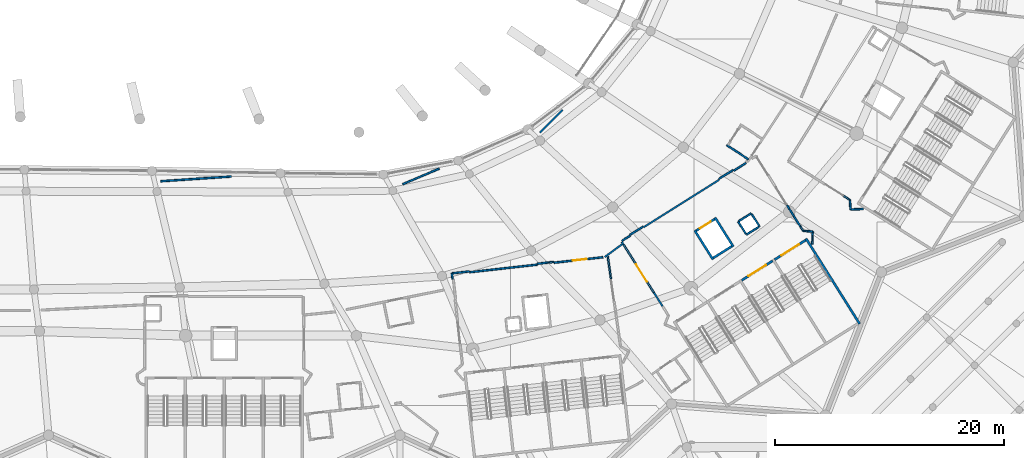
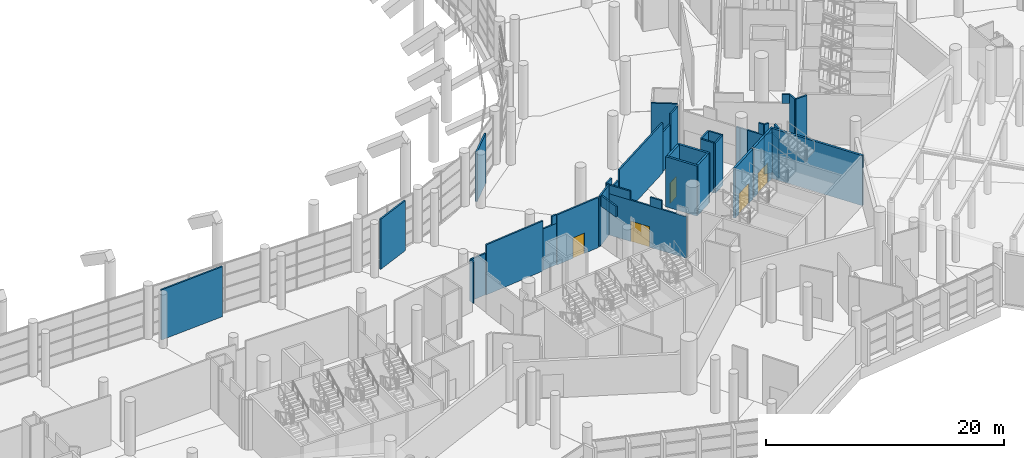
# One storey, part 173 of 271: 43 walls, 5 doors, 5 openings.
"""IFC4 building model written with IfcOpenShell, lengths in metres."""

import ifcopenshell
import ifcopenshell.guid

model = None  # the IFC model being written
_history = None  # IfcOwnerHistory: only IFC2X3 demands one
_inside = {}  # id of a spatial element -> (the spatial element, [elements in it])
_under = {}  # id of a project, library or spatial element -> (it, [spatial elements below it])
_declared = {}  # id of a project -> (the project, [libraries it declares])
_typed = {}  # id of a type object -> (the type object, [elements of that type])
_made_of = {}  # id of a material, layer set ... -> (it, [elements and type objects made of it])


def new_model(schema):
    """Start an empty IFC model of exactly this schema.

    Asked for "IFC4X3", IfcOpenShell would pick the latest addendum, in which some entities
    have other attributes; the version numbers below select the first issue.
    IFC2X3 requires an IfcOwnerHistory on every rooted entity: one is made here for all.
    """
    global model, _history
    if schema == "IFC4X3":
        model = ifcopenshell.file(schema_version=(4, 3, 0, 0))
    else:
        model = ifcopenshell.file(schema=schema)
    _inside.clear()
    _under.clear()
    _declared.clear()
    _typed.clear()
    _made_of.clear()
    _history = None
    if model.schema == "IFC2X3":
        org = make("IfcOrganization", Name="unknown")
        user = make(
            "IfcPersonAndOrganization",
            ThePerson=make("IfcPerson", FamilyName="unknown"),
            TheOrganization=org,
        )
        app = make(
            "IfcApplication",
            ApplicationDeveloper=org,
            Version="unknown",
            ApplicationFullName="unknown",
            ApplicationIdentifier="unknown",
        )
        _history = make(
            "IfcOwnerHistory",
            OwningUser=user,
            OwningApplication=app,
            ChangeAction="ADDED",
            CreationDate=0,
        )
    return model


def make(cls, **values):
    """One entity of the class cls with the attributes given. An attribute that is None is left unset."""
    return model.create_entity(
        cls, **{name: value for name, value in values.items() if value is not None}
    )


def rooted(cls, **values):
    """An entity with a GlobalId (a new one), such as an element, a storey or a relation."""
    return make(cls, GlobalId=ifcopenshell.guid.new(), OwnerHistory=_history, **values)


def si_unit(unit_type, name, prefix=None):
    """IfcSIUnit, for example si_unit("LENGTHUNIT", "METRE", prefix="MILLI")."""
    return make("IfcSIUnit", UnitType=unit_type, Prefix=prefix, Name=name)


def assignment(units):
    """IfcUnitAssignment: the units of a project."""
    return None if units is None else make("IfcUnitAssignment", Units=units)


def point(xyz):
    """IfcCartesianPoint."""
    return None if xyz is None else make("IfcCartesianPoint", Coordinates=xyz)


def direction(xyz):
    """IfcDirection."""
    return None if xyz is None else make("IfcDirection", DirectionRatios=xyz)


def frame(location, z_axis=None, x_axis=None):
    """IfcAxis2Placement3D, a coordinate frame: its origin and axes. An axis left out is left unset."""
    return make(
        "IfcAxis2Placement3D",
        Location=point(location),
        Axis=direction(z_axis),
        RefDirection=direction(x_axis),
    )


def frame_2d(location, x_axis=None):
    """IfcAxis2Placement2D, a coordinate frame in the plane: its origin and x axis."""
    return make(
        "IfcAxis2Placement2D", Location=point(location), RefDirection=direction(x_axis)
    )


def origin():
    """The frame at (0, 0, 0) with its axes left unset."""
    return frame((0.0, 0.0, 0.0))


def place(relative_to, where):
    """IfcLocalPlacement: puts the frame where relative to a parent placement (None: the world)."""
    return make(
        "IfcLocalPlacement", PlacementRelTo=relative_to, RelativePlacement=where
    )


def context(
    kind, dimensions, precision=None, world=None, true_north=None, identifier=None
):
    """IfcGeometricRepresentationContext, for example the 3D "Model" context."""
    return make(
        "IfcGeometricRepresentationContext",
        ContextIdentifier=identifier,
        ContextType=kind,
        CoordinateSpaceDimension=dimensions,
        Precision=precision,
        WorldCoordinateSystem=world,
        TrueNorth=true_north,
    )


def subcontext(parent, identifier, kind, view, scale=None):
    """IfcGeometricRepresentationSubContext, for example "Body" below "Model"."""
    return make(
        "IfcGeometricRepresentationSubContext",
        ContextIdentifier=identifier,
        ContextType=kind,
        ParentContext=parent,
        TargetScale=scale,
        TargetView=view,
    )


def project(units=None, contexts=None):
    """IfcProject with its units and contexts."""
    return rooted(
        "IfcProject",
        Name="project",
        RepresentationContexts=contexts,
        UnitsInContext=assignment(units),
    )


def spatial(cls, under=None, at=None, **own):
    """A site, building, storey or space (cls), placed at a placement, below another one or the project."""
    s = rooted(cls, ObjectPlacement=at, **own)
    if under is not None:
        _under.setdefault(under.id(), (under, []))[1].append(s)
    return s


def profile(cls, at=None, kind="AREA", **sizes):
    """A parametric profile (cls). Its sizes go by their IFC names, for example OverallWidth=200.0."""
    return make(cls, ProfileType=kind, Position=at, **sizes)


def rectangle(**sizes):
    """IfcRectangleProfileDef."""
    return profile("IfcRectangleProfileDef", **sizes)


def extrude(swept, where, along, depth):
    """IfcExtrudedAreaSolid: the profile swept, set in the frame where, extruded along a direction by depth."""
    return make(
        "IfcExtrudedAreaSolid",
        SweptArea=swept,
        Position=where,
        ExtrudedDirection=direction(along),
        Depth=depth,
    )


def shape(context_of_items, identifier, shape_type, items):
    """IfcShapeRepresentation: the items that make up one representation, for example the "Body"."""
    return make(
        "IfcShapeRepresentation",
        ContextOfItems=context_of_items,
        RepresentationIdentifier=identifier,
        RepresentationType=shape_type,
        Items=items,
    )


def material(Name=None, Category=None):
    """IfcMaterial."""
    return make("IfcMaterial", Name=Name, Category=Category)


def layer(
    of_material, thickness, ventilated=None, Name=None, Category=None, Priority=None
):
    """IfcMaterialLayer: one layer of a wall or slab, of a material (None: an air gap)."""
    return make(
        "IfcMaterialLayer",
        Material=of_material,
        LayerThickness=thickness,
        IsVentilated=ventilated,
        Name=Name,
        Category=Category,
        Priority=Priority,
    )


def layer_set(layers, Name=None):
    """IfcMaterialLayerSet."""
    return make("IfcMaterialLayerSet", MaterialLayers=layers, LayerSetName=Name)


def made_of(thing, what):
    """Note that an element or type object is made of a material, layer set ...; save() writes the relation."""
    if what is not None:
        _made_of.setdefault(what.id(), (what, []))[1].append(thing)
    return thing


def type_object(cls, material=None, **own):
    """A type object (cls), such as IfcWallType, which elements share."""
    return made_of(rooted(cls, **own), material)


def element(
    cls,
    number,
    at=None,
    inside=None,
    cuts=None,
    type_object=None,
    material=None,
    context=None,
    identifier="Body",
    shape_type=None,
    held_by="IfcProductDefinitionShape",
    body=None,
    shapes=None,
    **own,
):
    """One element of the class cls, such as IfcWall. Its Tag is "e" and its number.

    at: its placement. inside: the storey or other place that contains it. cuts: it is an
    opening in that element (IfcRelVoidsElement). A single representation is given by context,
    identifier, shape_type and body (its items); several are given by shapes. held_by: the class
    of the entity that holds the representations. save() writes the other relations.
    """
    e = rooted(cls, Tag="e%d" % number, ObjectPlacement=at, **own)
    if body is not None:
        shapes = [shape(context, identifier, shape_type, body)]
    if shapes is not None:
        e.Representation = make(held_by, Representations=shapes)
    if inside is not None:
        _inside.setdefault(inside.id(), (inside, []))[1].append(e)
    if cuts is not None:
        rooted(
            "IfcRelVoidsElement", RelatingBuildingElement=cuts, RelatedOpeningElement=e
        )
    if type_object is not None:
        _typed.setdefault(type_object.id(), (type_object, []))[1].append(e)
    return made_of(e, material)


def fill(opening, filler):
    """IfcRelFillsElement: the door or window that sits in an opening."""
    return rooted(
        "IfcRelFillsElement",
        RelatingOpeningElement=opening,
        RelatedBuildingElement=filler,
    )


def aggregate(whole, parts):
    """IfcRelAggregates: a whole, such as a stair, and the parts it consists of."""
    return rooted("IfcRelAggregates", RelatingObject=whole, RelatedObjects=parts)


def save(model, path):
    """Write the relations noted so far, then the file.

    IfcRelAggregates (storeys below a building ...), IfcRelContainedInSpatialStructure (elements
    in a storey), IfcRelDefinesByType, IfcRelAssociatesMaterial and IfcRelDeclares: one each for
    every whole, place, type object, material and project.
    """
    for whole, parts in _under.values():
        aggregate(whole, parts)
    for where, things in _inside.values():
        rooted(
            "IfcRelContainedInSpatialStructure",
            RelatedElements=things,
            RelatingStructure=where,
        )
    for kind, things in _typed.values():
        rooted("IfcRelDefinesByType", RelatedObjects=things, RelatingType=kind)
    for what, things in _made_of.values():
        rooted("IfcRelAssociatesMaterial", RelatedObjects=things, RelatingMaterial=what)
    for by, libraries in _declared.values():
        rooted("IfcRelDeclares", RelatingContext=by, RelatedDefinitions=libraries)
    model.write(path)


model = new_model("IFC4")

# Units and contexts
model_context = context("Model", 3, precision=1e-05, world=origin(), true_north=direction((0.0, 1.0)))
body_context = subcontext(model_context, "Body", "Model", "MODEL_VIEW")
ifc_project = project(units=[si_unit("LENGTHUNIT", "METRE"), si_unit("AREAUNIT", "SQUARE_METRE"), si_unit("VOLUMEUNIT", "CUBIC_METRE"), si_unit("PLANEANGLEUNIT", "RADIAN"), si_unit("MASSUNIT", "GRAM", prefix="KILO")], contexts=[model_context])

# Site, building, storey
site_placement = place(None, origin())
site = spatial("IfcSite", under=ifc_project, at=site_placement, CompositionType="ELEMENT")
building_placement = place(site_placement, origin())
building = spatial("IfcBuilding", under=site, at=building_placement, Name="Meseta Stadium", CompositionType="ELEMENT")
storey_placement = place(building_placement, frame((0.0, 0.0, 6.5)))
storey = spatial("IfcBuildingStorey", under=building, at=storey_placement, Name="L01", CompositionType="ELEMENT", Elevation=6.5)

# Wall
ifc_material_1 = material(Name="Concrete C40/50", Category="concrete")
ifc_layer_1 = layer(ifc_material_1, 0.199951171875)
ifc_layer_set_1 = layer_set([ifc_layer_1], Name="Core shaft wall 200")
wall_type_1 = type_object("IfcWallType", Name="Core shaft wall 200", PredefinedType="SHEAR", material=ifc_layer_set_1)
wall_1_placement = place(storey_placement, frame((78.4658203125, -88.8876953125, 0.0), z_axis=(0.0, 0.0, 1.0), x_axis=(-0.532032334759, 0.846724036963, 0.0)))
element("IfcWall", 1, at=wall_1_placement, inside=storey, type_object=wall_type_1, Name="Core 27 L01 stair wall B-side", PredefinedType="SHEAR", context=body_context, shape_type="SweptSolid", body=[
    extrude(rectangle(XDim=8.800048828125, YDim=0.199951171875, at=frame_2d((4.39990234375, 0.0))), origin(), (0.0, 0.0, 1.0), 5.14990234375),
])

# Wall, opening, door
wall_2_placement = place(storey_placement, frame((68.1640625, -85.0859375, 0.0), z_axis=(0.0, 0.0, 1.0), x_axis=(0.84670136309, 0.53206841829, 0.0)))
wall_2 = element("IfcWall", 2, at=wall_2_placement, inside=storey, type_object=wall_type_1, Name="Core 27 L01 stair B1 inner end wall", PredefinedType="SHEAR", context=body_context, shape_type="SweptSolid", body=[
    extrude(rectangle(XDim=3.199951171875, YDim=0.199951171875, at=frame_2d((1.60009765625, 0.0))), origin(), (0.0, 0.0, 1.0), 5.14990234375),
])
opening_1_placement = place(wall_2_placement, frame((0.699951171875, 0.0, 0.0)))
opening_1 = element("IfcOpeningElement", 3, at=opening_1_placement, cuts=wall_2, Name="Opening D363", PredefinedType="OPENING", context=body_context, shape_type="SweptSolid", body=[
    extrude(rectangle(XDim=1.800048828125, YDim=2.10009765625, at=frame_2d((0.89990234375, 1.050048828125))), frame((0.0, 0.10986328125, 0.0), z_axis=(0.0, -1.0, 0.0), x_axis=(1.0, 0.0, 0.0)), (0.0, 0.0, 1.0), 0.219970703125),
])
ifc_material_2 = material(Name="Steel", Category="steel")
door_type_1 = type_object("IfcDoorType", Name="Stair door 1800x2100", OperationType="DOUBLE_DOOR_SINGLE_SWING", PredefinedType="DOOR", material=ifc_material_2)
door_1_placement = place(opening_1_placement, origin())
door_1 = element("IfcDoor", 4, at=door_1_placement, inside=storey, type_object=door_type_1, Name="Stair B1 door 27 L01", OperationType="DOUBLE_DOOR_SINGLE_SWING", OverallHeight=2.10009765625, OverallWidth=1.800048828125, PredefinedType="DOOR", context=body_context, shape_type="SweptSolid", body=[
    extrude(rectangle(XDim=1.800048828125, YDim=2.10009765625, at=frame_2d((0.89990234375, 1.050048828125))), frame((0.0, 0.02490234375, 0.0), z_axis=(0.0, -1.0, 0.0), x_axis=(1.0, 0.0, 0.0)), (0.0, 0.0, 1.0), 0.050048828125),
])
fill(opening_1, door_1)

wall_3_placement = place(storey_placement, frame((71.04296875, -83.27685546875, 0.0), z_axis=(0.0, 0.0, 1.0), x_axis=(0.846735733015, 0.532013720158, 0.0)))
wall_3 = element("IfcWall", 5, at=wall_3_placement, inside=storey, type_object=wall_type_1, Name="Core 27 L01 stair B2 inner end wall", PredefinedType="SHEAR", context=body_context, shape_type="SweptSolid", body=[
    extrude(rectangle(XDim=3.199951171875, YDim=0.199951171875, at=frame_2d((1.60009765625, 0.0))), origin(), (0.0, 0.0, 1.0), 5.14990234375),
])
opening_2_placement = place(wall_3_placement, frame((0.699951171875, 0.0, 0.0)))
opening_2 = element("IfcOpeningElement", 6, at=opening_2_placement, cuts=wall_3, Name="Opening D364", PredefinedType="OPENING", context=body_context, shape_type="SweptSolid", body=[
    extrude(rectangle(XDim=1.800048828125, YDim=2.10009765625, at=frame_2d((0.89990234375, 1.050048828125))), frame((0.0, 0.10986328125, 0.0), z_axis=(0.0, -1.0, 0.0), x_axis=(1.0, 0.0, 0.0)), (0.0, 0.0, 1.0), 0.219970703125),
])
door_2_placement = place(opening_2_placement, origin())
door_2 = element("IfcDoor", 7, at=door_2_placement, inside=storey, type_object=door_type_1, Name="Stair B2 door 27 L01", OperationType="DOUBLE_DOOR_SINGLE_SWING", OverallHeight=2.10009765625, OverallWidth=1.800048828125, PredefinedType="DOOR", context=body_context, shape_type="SweptSolid", body=[
    extrude(rectangle(XDim=1.800048828125, YDim=2.10009765625, at=frame_2d((0.89990234375, 1.050048828125))), frame((0.0, 0.02490234375, 0.0), z_axis=(0.0, -1.0, 0.0), x_axis=(1.0, 0.0, 0.0)), (0.0, 0.0, 1.0), 0.050048828125),
])
fill(opening_2, door_2)

# Walls
wall_4_placement = place(storey_placement, frame((65.658935546875, -83.260498046875, 0.0), z_axis=(0.0, 0.0, 1.0), x_axis=(-0.532074873955, 0.846697306306, 0.0)))
element("IfcWall", 8, at=wall_4_placement, inside=storey, type_object=wall_type_1, Name="Core 27 L01 lift shaft wall left", PredefinedType="SHEAR", context=body_context, shape_type="SweptSolid", body=[
    extrude(rectangle(XDim=3.0, YDim=0.199951171875, at=frame_2d((1.5, 0.0))), origin(), (0.0, 0.0, 1.0), 5.14990234375),
])
wall_5_placement = place(storey_placement, frame((67.43701171875, -82.143310546875, 0.0), z_axis=(0.0, 0.0, 1.0), x_axis=(-0.532038212918, 0.84672034344, 0.0)))
element("IfcWall", 9, at=wall_5_placement, inside=storey, type_object=wall_type_1, Name="Core 27 L01 lift shaft wall right", PredefinedType="SHEAR", context=body_context, shape_type="SweptSolid", body=[
    extrude(rectangle(XDim=3.000244140625, YDim=0.199951171875, at=frame_2d((1.5, 0.0))), origin(), (0.0, 0.0, 1.0), 5.14990234375),
])
wall_6_placement = place(storey_placement, frame((65.6904296875, -83.122802734375, 0.0), z_axis=(0.0, 0.0, 1.0), x_axis=(0.846674592738, 0.532111016623, 0.0)))
element("IfcWall", 10, at=wall_6_placement, inside=storey, type_object=wall_type_1, Name="Core 27 L01 lift shaft back wall", PredefinedType="SHEAR", context=body_context, shape_type="SweptSolid", body=[
    extrude(rectangle(XDim=1.89990234375, YDim=0.199951171875, at=frame_2d((0.949951171875, 0.0))), origin(), (0.0, 0.0, 1.0), 5.14990234375),
])

# Wall, opening, door
wall_7_placement = place(storey_placement, frame((64.20068359375, -80.751708984375, 0.0), z_axis=(0.0, 0.0, 1.0), x_axis=(0.846768850524, 0.531961007765, 0.0)))
wall_7 = element("IfcWall", 11, at=wall_7_placement, inside=storey, type_object=wall_type_1, Name="Core 27 L01 lift shaft front wall", PredefinedType="SHEAR", context=body_context, shape_type="SweptSolid", body=[
    extrude(rectangle(XDim=1.900146484375, YDim=0.199951171875, at=frame_2d((0.9501953125, 0.0))), origin(), (0.0, 0.0, 1.0), 5.14990234375),
])
opening_3_placement = place(wall_7_placement, frame((0.39990234375, 0.0, 0.0)))
opening_3 = element("IfcOpeningElement", 12, at=opening_3_placement, cuts=wall_7, Name="Opening LD148", PredefinedType="OPENING", context=body_context, shape_type="SweptSolid", body=[
    extrude(rectangle(XDim=1.10009765625, YDim=2.10009765625, at=frame_2d((0.550048828125, 1.050048828125))), frame((0.0, 0.10986328125, 0.0), z_axis=(0.0, -1.0, 0.0), x_axis=(1.0, 0.0, 0.0)), (0.0, 0.0, 1.0), 0.219970703125),
])
ifc_material_3 = material(Name="Steel", Category="steel")
door_type_2 = type_object("IfcDoorType", Name="Lift landing door 1100x2100", OperationType="SLIDING_TO_LEFT", PredefinedType="DOOR", material=ifc_material_3)
door_3_placement = place(opening_3_placement, origin())
door_3 = element("IfcDoor", 13, at=door_3_placement, inside=storey, type_object=door_type_2, Name="Lift landing door LD148", OperationType="SLIDING_TO_RIGHT", OverallHeight=2.10009765625, OverallWidth=1.10009765625, PredefinedType="DOOR", context=body_context, shape_type="SweptSolid", body=[
    extrude(rectangle(XDim=1.10009765625, YDim=2.10009765625, at=frame_2d((0.550048828125, 1.050048828125))), frame((0.0, 0.02490234375, 0.0), z_axis=(0.0, -1.0, 0.0), x_axis=(1.0, 0.0, 0.0)), (0.0, 0.0, 1.0), 0.050048828125),
])
fill(opening_3, door_3)

# Walls
ifc_material_4 = material(Name="Masonry blockwork", Category="masonry")
ifc_layer_2 = layer(ifc_material_4, 0.14990234375)
ifc_layer_set_2 = layer_set([ifc_layer_2], Name="Partition 150")
wall_type_2 = type_object("IfcWallType", Name="Partition 150", PredefinedType="PARTITIONING", material=ifc_layer_set_2)
wall_8_placement = place(storey_placement, frame((17.447021484375, -76.433837890625, 0.0), z_axis=(0.0, 0.0, 1.0), x_axis=(0.997781666394, 0.066571361774, 0.0)))
element("IfcWall", 14, at=wall_8_placement, inside=storey, type_object=wall_type_2, Name="Partition L01 L01-cell24-0-0", PredefinedType="PARTITIONING", context=body_context, shape_type="SweptSolid", body=[
    extrude(rectangle(XDim=6.1904296875, YDim=0.14990234375, at=frame_2d((3.09521484375, 0.0))), origin(), (0.0, 0.0, 1.0), 5.14990234375),
])
wall_9_placement = place(storey_placement, frame((38.578369140625, -76.695068359375, 0.0), z_axis=(0.0, 0.0, 1.0), x_axis=(0.919265141215, 0.393638921026, 0.0)))
element("IfcWall", 15, at=wall_9_placement, inside=storey, type_object=wall_type_2, Name="Partition L01 L01-cell25-0-0", PredefinedType="PARTITIONING", context=body_context, shape_type="SweptSolid", body=[
    extrude(rectangle(XDim=3.46826171875, YDim=0.14990234375, at=frame_2d((1.734130859375, 0.0))), origin(), (0.0, 0.0, 1.0), 5.14990234375),
])
wall_10_placement = place(storey_placement, frame((58.4365234375, -81.18505859375, 0.0), z_axis=(0.0, 0.0, 1.0), x_axis=(-0.846703986053, -0.532064244244, 0.0)))
element("IfcWall", 16, at=wall_10_placement, inside=storey, type_object=wall_type_2, Name="Partition L01 L01-cell25-0-0", PredefinedType="PARTITIONING", context=body_context, shape_type="SweptSolid", body=[
    extrude(rectangle(XDim=0.8388671875, YDim=0.14990234375, at=frame_2d((0.41943359375, 0.0))), origin(), (0.0, 0.0, 1.0), 5.14990234375),
])
wall_11_placement = place(storey_placement, frame((57.796142578125, -81.883544921875, 0.0), z_axis=(0.0, 0.0, 1.0), x_axis=(-0.805706705003, -0.592314701416, 0.0)))
element("IfcWall", 17, at=wall_11_placement, inside=storey, type_object=wall_type_2, Name="Partition L01 L01-cell25-0-0", PredefinedType="PARTITIONING", context=body_context, shape_type="SweptSolid", body=[
    extrude(rectangle(XDim=1.968994140625, YDim=0.14990234375, at=frame_2d((0.984375, 0.0))), origin(), (0.0, 0.0, 1.0), 5.14990234375),
])

# Wall, opening, door
wall_12_placement = place(storey_placement, frame((56.060302734375, -83.06640625, 0.0), z_axis=(0.0, 0.0, 1.0), x_axis=(-0.993712844466, -0.111958843972, 0.0)))
wall_12 = element("IfcWall", 18, at=wall_12_placement, inside=storey, type_object=wall_type_2, Name="Partition L01 L01-cell25-0-0", PredefinedType="PARTITIONING", context=body_context, shape_type="SweptSolid", body=[
    extrude(rectangle(XDim=4.298095703125, YDim=0.14990234375, at=frame_2d((2.14892578125, 0.0))), origin(), (0.0, 0.0, 1.0), 5.14990234375),
])
opening_4_placement = place(wall_12_placement, frame((1.449951171875, 0.0, 0.0)))
opening_4 = element("IfcOpeningElement", 19, at=opening_4_placement, cuts=wall_12, Name="Opening D675", PredefinedType="OPENING", context=body_context, shape_type="SweptSolid", body=[
    extrude(rectangle(XDim=1.199951171875, YDim=2.10009765625, at=frame_2d((0.60009765625, 1.050048828125))), frame((0.0, 0.0849609375, 0.0), z_axis=(0.0, -1.0, 0.0), x_axis=(1.0, 0.0, 0.0)), (0.0, 0.0, 1.0), 0.169921875),
])
ifc_material_5 = material(Name="Steel", Category="steel")
door_type_3 = type_object("IfcDoorType", Name="Fire door 1200x2100 EI2 60", OperationType="NOTDEFINED", PredefinedType="DOOR", material=ifc_material_5)
door_4_placement = place(opening_4_placement, origin())
door_4 = element("IfcDoor", 20, at=door_4_placement, inside=storey, type_object=door_type_3, Name="Door D675", OperationType="SINGLE_SWING_LEFT", OverallHeight=2.10009765625, OverallWidth=1.199951171875, PredefinedType="DOOR", context=body_context, shape_type="SweptSolid", body=[
    extrude(rectangle(XDim=1.199951171875, YDim=2.10009765625, at=frame_2d((0.60009765625, 1.050048828125))), frame((0.0, 0.02490234375, 0.0), z_axis=(0.0, -1.0, 0.0), x_axis=(1.0, 0.0, 0.0)), (0.0, 0.0, 1.0), 0.050048828125),
])
fill(opening_4, door_4)

# Walls
wall_13_placement = place(storey_placement, frame((50.31591796875, -83.7138671875, 0.0), z_axis=(0.0, 0.0, 1.0), x_axis=(-0.993716960296, -0.111922307073, 0.0)))
element("IfcWall", 21, at=wall_13_placement, inside=storey, type_object=wall_type_2, Name="Partition L01 L01-cell25-0-0", PredefinedType="PARTITIONING", context=body_context, shape_type="SweptSolid", body=[
    extrude(rectangle(XDim=5.93115234375, YDim=0.14990234375, at=frame_2d((2.965576171875, 0.0))), origin(), (0.0, 0.0, 1.0), 5.14990234375),
])
wall_14_placement = place(storey_placement, frame((50.55517578125, -72.17236328125, 0.0), z_axis=(0.0, 0.0, 1.0), x_axis=(0.706715261326, 0.707498084385, 0.0)))
element("IfcWall", 22, at=wall_14_placement, inside=storey, type_object=wall_type_2, Name="Partition L01 L01-cell26-0-0", PredefinedType="PARTITIONING", context=body_context, shape_type="SweptSolid", body=[
    extrude(rectangle(XDim=2.806884765625, YDim=0.14990234375, at=frame_2d((1.4033203125, 0.0))), origin(), (0.0, 0.0, 1.0), 5.14990234375),
])
wall_15_placement = place(storey_placement, frame((68.547607421875, -74.83154296875, 0.0), z_axis=(0.0, 0.0, 1.0), x_axis=(-0.846736781525, -0.53201205138, 0.0)))
element("IfcWall", 23, at=wall_15_placement, inside=storey, type_object=wall_type_2, Name="Partition L01 L01-cell26-0-0", PredefinedType="PARTITIONING", context=body_context, shape_type="SweptSolid", body=[
    extrude(rectangle(XDim=1.285400390625, YDim=0.14990234375, at=frame_2d((0.642578125, 0.0))), origin(), (0.0, 0.0, 1.0), 5.14990234375),
])
wall_16_placement = place(storey_placement, frame((66.21875, -76.294921875, 0.0), z_axis=(0.0, 0.0, 1.0), x_axis=(-0.846710948696, -0.532053164035, 0.0)))
element("IfcWall", 24, at=wall_16_placement, inside=storey, type_object=wall_type_2, Name="Partition L01 L01-cell26-0-0", PredefinedType="PARTITIONING", context=body_context, shape_type="SweptSolid", body=[
    extrude(rectangle(XDim=7.81396484375, YDim=0.14990234375, at=frame_2d((3.906982421875, 0.0))), origin(), (0.0, 0.0, 1.0), 5.14990234375),
])
wall_17_placement = place(storey_placement, frame((51.77099609375, -83.474365234375, 0.0), z_axis=(0.0, 0.0, 1.0), x_axis=(-0.993709511216, -0.111988424929, 0.0)))
element("IfcWall", 25, at=wall_17_placement, inside=storey, type_object=wall_type_2, Name="Stair vestibule wall L01 core 26", PredefinedType="PARTITIONING", context=body_context, shape_type="SweptSolid", body=[
    extrude(rectangle(XDim=1.462890625, YDim=0.14990234375, at=frame_2d((0.7314453125, 0.0))), origin(), (0.0, 0.0, 1.0), 4.25),
])
wall_18_placement = place(storey_placement, frame((51.77099609375, -83.474365234375, 4.25), z_axis=(0.0, 0.0, 1.0), x_axis=(-0.993686724241, -0.112190436608, 0.0)))
element("IfcWall", 26, at=wall_18_placement, inside=storey, type_object=wall_type_2, Name="Stair vestibule wall L01 core 26", PredefinedType="PARTITIONING", context=body_context, shape_type="SweptSolid", body=[
    extrude(rectangle(XDim=0.487548828125, YDim=0.14990234375, at=frame_2d((0.24365234375, 0.0))), origin(), (0.0, 0.0, 1.0), 0.89990234375),
])
wall_19_placement = place(storey_placement, frame((44.40380859375, -84.304443359375, 0.0), z_axis=(0.0, 0.0, 1.0), x_axis=(-0.993711371041, -0.111971920876, 0.0)))
element("IfcWall", 27, at=wall_19_placement, inside=storey, type_object=wall_type_2, Name="Stair vestibule wall L01 core 26", PredefinedType="PARTITIONING", context=body_context, shape_type="SweptSolid", body=[
    extrude(rectangle(XDim=1.548095703125, YDim=0.14990234375, at=frame_2d((0.77392578125, 0.0))), origin(), (0.0, 0.0, 1.0), 4.25),
])
wall_20_placement = place(storey_placement, frame((42.865478515625, -84.477783203125, 0.0), z_axis=(0.0, 0.0, 1.0), x_axis=(0.112167534238, -0.993689309726, 0.0)))
element("IfcWall", 28, at=wall_20_placement, inside=storey, type_object=wall_type_2, Name="Stair vestibule wall L01 core 26", PredefinedType="PARTITIONING", context=body_context, shape_type="SweptSolid", body=[
    extrude(rectangle(XDim=0.50927734375, YDim=0.14990234375, at=frame_2d((0.254638671875, 0.0))), origin(), (0.0, 0.0, 1.0), 4.25),
])
wall_21_placement = place(storey_placement, frame((56.765380859375, -85.02587890625, 4.050048828125), z_axis=(0.0, 0.0, 1.0), x_axis=(-0.140197661448, 0.990123535588, 0.0)))
element("IfcWall", 29, at=wall_21_placement, inside=storey, type_object=wall_type_2, Name="Stair vestibule wall L01 core 26", PredefinedType="PARTITIONING", context=body_context, shape_type="SweptSolid", body=[
    extrude(rectangle(XDim=2.0390625, YDim=0.14990234375, at=frame_2d((1.01953125, 0.0))), origin(), (0.0, 0.0, 1.0), 1.099853515625),
])
for number, where, z_axis, x_axis, name in (
    (30, (68.58203125, -81.09912109375, 0.0), (0.0, 0.0, 1.0), (0.846683377265, 0.532097038765, 0.0), "Pressurisation shaft wall L01 core 27"),
    (31, (69.72509765625, -80.380859375, 0.0), (0.0, 0.0, 1.0), (-0.532097038765, 0.846683377265, 0.0), "Pressurisation shaft wall L01 core 27"),
):
    element("IfcWall", number, at=place(storey_placement, frame(where, z_axis=z_axis, x_axis=x_axis)), inside=storey, type_object=wall_type_2, Name=name, PredefinedType="PARTITIONING", context=body_context, shape_type="SweptSolid", body=[
        extrude(rectangle(XDim=1.275146484375, YDim=0.14990234375, at=frame_2d((0.6376953125, 0.0))), origin(), (0.0, 0.0, 1.0), 5.14990234375),
    ])
for number, where, z_axis, x_axis, name in (
    (32, (69.0068359375, -79.23779296875, 0.0), (0.0, 0.0, 1.0), (-0.846769635862, -0.531959757672, 0.0), "Pressurisation shaft wall L01 core 27"),
    (33, (67.86376953125, -79.9560546875, 0.0), (0.0, 0.0, 1.0), (0.531959757672, -0.846769635862, 0.0), "Pressurisation shaft wall L01 core 27"),
):
    element("IfcWall", number, at=place(storey_placement, frame(where, z_axis=z_axis, x_axis=x_axis)), inside=storey, type_object=wall_type_2, Name=name, PredefinedType="PARTITIONING", context=body_context, shape_type="SweptSolid", body=[
        extrude(rectangle(XDim=1.27490234375, YDim=0.14990234375, at=frame_2d((0.637451171875, 0.0))), origin(), (0.0, 0.0, 1.0), 5.14990234375),
    ])
wall_22_placement = place(storey_placement, frame((67.410888671875, -75.457275390625, 0.0), z_axis=(0.0, 0.0, 1.0), x_axis=(-0.846666992422, -0.532123109762, 0.0)))
element("IfcWall", 34, at=wall_22_placement, inside=storey, type_object=wall_type_2, Name="Stair vestibule wall L01 core 27", PredefinedType="PARTITIONING", context=body_context, shape_type="SweptSolid", body=[
    extrude(rectangle(XDim=1.4453125, YDim=0.14990234375, at=frame_2d((0.72265625, 0.0))), origin(), (0.0, 0.0, 1.0), 4.050048828125),
])
wall_23_placement = place(storey_placement, frame((59.55419921875, -80.39404296875, 0.0), z_axis=(0.0, 0.0, 1.0), x_axis=(-0.846692118789, -0.532083128825, 0.0)))
element("IfcWall", 35, at=wall_23_placement, inside=storey, type_object=wall_type_2, Name="Stair vestibule wall L01 core 27", PredefinedType="PARTITIONING", context=body_context, shape_type="SweptSolid", body=[
    extrude(rectangle(XDim=1.357177734375, YDim=0.14990234375, at=frame_2d((0.6787109375, 0.0))), origin(), (0.0, 0.0, 1.0), 4.050048828125),
])

# Wall, opening, door
wall_24_placement = place(storey_placement, frame((57.840087890625, -81.951904296875, 0.0), z_axis=(0.0, 0.0, 1.0), x_axis=(0.535358417359, -0.844624984808, 0.0)))
wall_24 = element("IfcWall", 36, at=wall_24_placement, inside=storey, type_object=wall_type_2, Name="Stair vestibule wall L01 core 27", PredefinedType="PARTITIONING", context=body_context, shape_type="SweptSolid", body=[
    extrude(rectangle(XDim=7.355712890625, YDim=0.14990234375, at=frame_2d((3.677734375, 0.0))), origin(), (0.0, 0.0, 1.0), 4.25),
])
opening_5_placement = place(wall_24_placement, frame((2.050048828125, 0.0, 0.0)))
opening_5 = element("IfcOpeningElement", 37, at=opening_5_placement, cuts=wall_24, Name="Opening D808", PredefinedType="OPENING", context=body_context, shape_type="SweptSolid", body=[
    extrude(rectangle(XDim=1.800048828125, YDim=2.10009765625, at=frame_2d((0.89990234375, 1.050048828125))), frame((0.0, 0.0849609375, 0.0), z_axis=(0.0, -1.0, 0.0), x_axis=(1.0, 0.0, 0.0)), (0.0, 0.0, 1.0), 0.169921875),
])
ifc_material_6 = material(Name="Steel", Category="steel")
door_type_4 = type_object("IfcDoorType", Name="Fire double door 1800x2100 EI2 60", OperationType="DOUBLE_DOOR_SINGLE_SWING", PredefinedType="DOOR", material=ifc_material_6)
door_5_placement = place(opening_5_placement, origin())
door_5 = element("IfcDoor", 38, at=door_5_placement, inside=storey, type_object=door_type_4, Name="Stair vestibule door L01 core 27", OperationType="DOUBLE_DOOR_SINGLE_SWING", OverallHeight=2.10009765625, OverallWidth=1.800048828125, PredefinedType="DOOR", context=body_context, shape_type="SweptSolid", body=[
    extrude(rectangle(XDim=1.800048828125, YDim=2.10009765625, at=frame_2d((0.89990234375, 1.050048828125))), frame((0.0, 0.02490234375, 0.0), z_axis=(0.0, -1.0, 0.0), x_axis=(1.0, 0.0, 0.0)), (0.0, 0.0, 1.0), 0.050048828125),
])
fill(opening_5, door_5)

# Walls
wall_25_placement = place(storey_placement, frame((57.840087890625, -81.951904296875, 4.25), z_axis=(0.0, 0.0, 1.0), x_axis=(0.535397626239, -0.844600131315, 0.0)))
element("IfcWall", 39, at=wall_25_placement, inside=storey, type_object=wall_type_2, Name="Stair vestibule wall L01 core 27", PredefinedType="PARTITIONING", context=body_context, shape_type="SweptSolid", body=[
    extrude(rectangle(XDim=2.0, YDim=0.14990234375, at=frame_2d((1.0, 0.0))), origin(), (0.0, 0.0, 1.0), 0.89990234375),
])
wall_26_placement = place(storey_placement, frame((74.3271484375, -81.945068359375, 0.0), z_axis=(0.0, 0.0, 1.0), x_axis=(0.035930866393, 0.999354277942, 0.0)))
element("IfcWall", 40, at=wall_26_placement, inside=storey, type_object=wall_type_2, Name="Stair vestibule wall L01 core 27", PredefinedType="PARTITIONING", context=body_context, shape_type="SweptSolid", body=[
    extrude(rectangle(XDim=1.1279296875, YDim=0.14990234375, at=frame_2d((0.56396484375, 0.0))), origin(), (0.0, 0.0, 1.0), 4.050048828125),
])
wall_27_placement = place(storey_placement, frame((74.3271484375, -81.945068359375, 4.050048828125), z_axis=(0.0, 0.0, 1.0), x_axis=(0.036038951541, 0.999350385987, 0.0)))
element("IfcWall", 41, at=wall_27_placement, inside=storey, type_object=wall_type_2, Name="Stair vestibule wall L01 core 27", PredefinedType="PARTITIONING", context=body_context, shape_type="SweptSolid", body=[
    extrude(rectangle(XDim=0.751953125, YDim=0.14990234375, at=frame_2d((0.3759765625, 0.0))), origin(), (0.0, 0.0, 1.0), 1.099853515625),
])
wall_28_placement = place(storey_placement, frame((74.36767578125, -80.81787109375, 0.0), z_axis=(0.0, 0.0, 1.0), x_axis=(-0.998642113307, 0.052095388758, 0.0)))
element("IfcWall", 42, at=wall_28_placement, inside=storey, type_object=wall_type_2, Name="Stair vestibule wall L01 core 27", PredefinedType="PARTITIONING", context=body_context, shape_type="SweptSolid", body=[
    extrude(rectangle(XDim=0.82958984375, YDim=0.14990234375, at=frame_2d((0.414794921875, 0.0))), origin(), (0.0, 0.0, 1.0), 4.050048828125),
])
wall_29_placement = place(storey_placement, frame((73.95361328125, -80.79638671875, 4.050048828125), z_axis=(0.0, 0.0, 1.0), x_axis=(-0.998627565725, 0.052373514054, 0.0)))
element("IfcWall", 43, at=wall_29_placement, inside=storey, type_object=wall_type_2, Name="Stair vestibule wall L01 core 27", PredefinedType="PARTITIONING", context=body_context, shape_type="SweptSolid", body=[
    extrude(rectangle(XDim=0.414794921875, YDim=0.14990234375, at=frame_2d((0.20751953125, 0.0))), origin(), (0.0, 0.0, 1.0), 1.099853515625),
])
wall_30_placement = place(storey_placement, frame((73.539306640625, -80.774658203125, 0.0), z_axis=(0.0, 0.0, 1.0), x_axis=(-0.532103006557, 0.846679626785, 0.0)))
element("IfcWall", 44, at=wall_30_placement, inside=storey, type_object=wall_type_2, Name="Stair vestibule wall L01 core 27", PredefinedType="PARTITIONING", context=body_context, shape_type="SweptSolid", body=[
    extrude(rectangle(XDim=1.531982421875, YDim=0.14990234375, at=frame_2d((0.76611328125, 0.0))), origin(), (0.0, 0.0, 1.0), 4.050048828125),
])
wall_31_placement = place(storey_placement, frame((73.539306640625, -80.774658203125, 4.050048828125), z_axis=(0.0, 0.0, 1.0), x_axis=(-0.531995638284, 0.846747093793, 0.0)))
element("IfcWall", 45, at=wall_31_placement, inside=storey, type_object=wall_type_2, Name="Stair vestibule wall L01 core 27", PredefinedType="PARTITIONING", context=body_context, shape_type="SweptSolid", body=[
    extrude(rectangle(XDim=0.483154296875, YDim=0.14990234375, at=frame_2d((0.24169921875, 0.0))), origin(), (0.0, 0.0, 1.0), 1.099853515625),
])
wall_32_placement = place(storey_placement, frame((57.70263671875, -81.735107421875, 0.0), z_axis=(0.0, 0.0, 1.0), x_axis=(0.535459302441, -0.844561031204, 0.0)))
element("IfcWall", 46, at=wall_32_placement, inside=storey, type_object=wall_type_2, Name="Stair vestibule wall L01 core 27", PredefinedType="PARTITIONING", context=body_context, shape_type="SweptSolid", body=[
    extrude(rectangle(XDim=0.256591796875, YDim=0.14990234375, at=frame_2d((0.12841796875, 0.0))), origin(), (0.0, 0.0, 1.0), 5.14990234375),
])
wall_33_placement = place(storey_placement, frame((72.72412109375, -79.4775390625, 0.0), z_axis=(0.0, 0.0, 1.0), x_axis=(-0.531986173683, 0.846753040154, 0.0)))
element("IfcWall", 47, at=wall_33_placement, inside=storey, type_object=wall_type_2, Name="Stair vestibule wall L01 core 27", PredefinedType="PARTITIONING", context=body_context, shape_type="SweptSolid", body=[
    extrude(rectangle(XDim=0.728271484375, YDim=0.14990234375, at=frame_2d((0.3642578125, 0.0))), origin(), (0.0, 0.0, 1.0), 4.050048828125),
])
wall_34_placement = place(storey_placement, frame((72.336669921875, -78.86083984375, 0.0), z_axis=(0.0, 0.0, 1.0), x_axis=(-0.532226455425, 0.84660203174, 0.0)))
element("IfcWall", 48, at=wall_34_placement, inside=storey, type_object=wall_type_2, Name="Stair vestibule wall L01 core 27", PredefinedType="PARTITIONING", context=body_context, shape_type="SweptSolid", body=[
    extrude(rectangle(XDim=0.3642578125, YDim=0.14990234375, at=frame_2d((0.18212890625, 0.0))), origin(), (0.0, 0.0, 1.0), 4.050048828125),
])
wall_35_placement = place(storey_placement, frame((77.0673828125, -77.72314453125, 4.25), z_axis=(0.0, 0.0, 1.0), x_axis=(0.846569271413, -0.532278563066, 0.0)))
element("IfcWall", 49, at=wall_35_placement, inside=storey, type_object=wall_type_2, Name="Stair vestibule wall L01 core 28", PredefinedType="PARTITIONING", context=body_context, shape_type="SweptSolid", body=[
    extrude(rectangle(XDim=0.654052734375, YDim=0.14990234375, at=frame_2d((0.3271484375, 0.0))), origin(), (0.0, 0.0, 1.0), 0.89990234375),
])
wall_36_placement = place(storey_placement, frame((77.62109375, -78.0712890625, 0.0), z_axis=(0.0, 0.0, 1.0), x_axis=(0.052666933407, -0.998612133977, 0.0)))
element("IfcWall", 50, at=wall_36_placement, inside=storey, type_object=wall_type_2, Name="Stair vestibule wall L01 core 28", PredefinedType="PARTITIONING", context=body_context, shape_type="SweptSolid", body=[
    extrude(rectangle(XDim=0.829833984375, YDim=0.14990234375, at=frame_2d((0.4150390625, 0.0))), origin(), (0.0, 0.0, 1.0), 5.14990234375),
])
wall_37_placement = place(storey_placement, frame((77.664794921875, -78.89990234375, 0.0), z_axis=(0.0, 0.0, 1.0), x_axis=(0.999353998407, 0.035938640324, 0.0)))
element("IfcWall", 51, at=wall_37_placement, inside=storey, type_object=wall_type_2, Name="Stair vestibule wall L01 core 28", PredefinedType="PARTITIONING", context=body_context, shape_type="SweptSolid", body=[
    extrude(rectangle(XDim=1.127685546875, YDim=0.14990234375, at=frame_2d((0.56396484375, 0.0))), origin(), (0.0, 0.0, 1.0), 5.14990234375),
])
wall_38_placement = place(storey_placement, frame((68.752197265625, -74.518798828125, 0.0), z_axis=(0.0, 0.0, 1.0), x_axis=(-0.836925645674, 0.54731660272, 0.0)))
element("IfcWall", 52, at=wall_38_placement, inside=storey, type_object=wall_type_2, Name="Partition L01 L01-cell26-0-0 vestibule", PredefinedType="PARTITIONING", context=body_context, shape_type="SweptSolid", body=[
    extrude(rectangle(XDim=2.25, YDim=0.14990234375, at=frame_2d((1.125, 0.0))), origin(), (0.0, 0.0, 1.0), 5.14990234375),
])
wall_39_placement = place(storey_placement, frame((59.927978515625, -85.24609375, 4.25), z_axis=(0.0, 0.0, 1.0), x_axis=(0.535353245771, -0.844628262754, 0.0)))
element("IfcWall", 53, at=wall_39_placement, inside=storey, type_object=wall_type_2, Name="Stair vestibule wall L01 core 27", PredefinedType="PARTITIONING", context=body_context, shape_type="SweptSolid", body=[
    extrude(rectangle(XDim=1.079833984375, YDim=0.14990234375, at=frame_2d((0.5400390625, 0.0))), origin(), (0.0, 0.0, 1.0), 0.89990234375),
])

save(model, "model.ifc")
